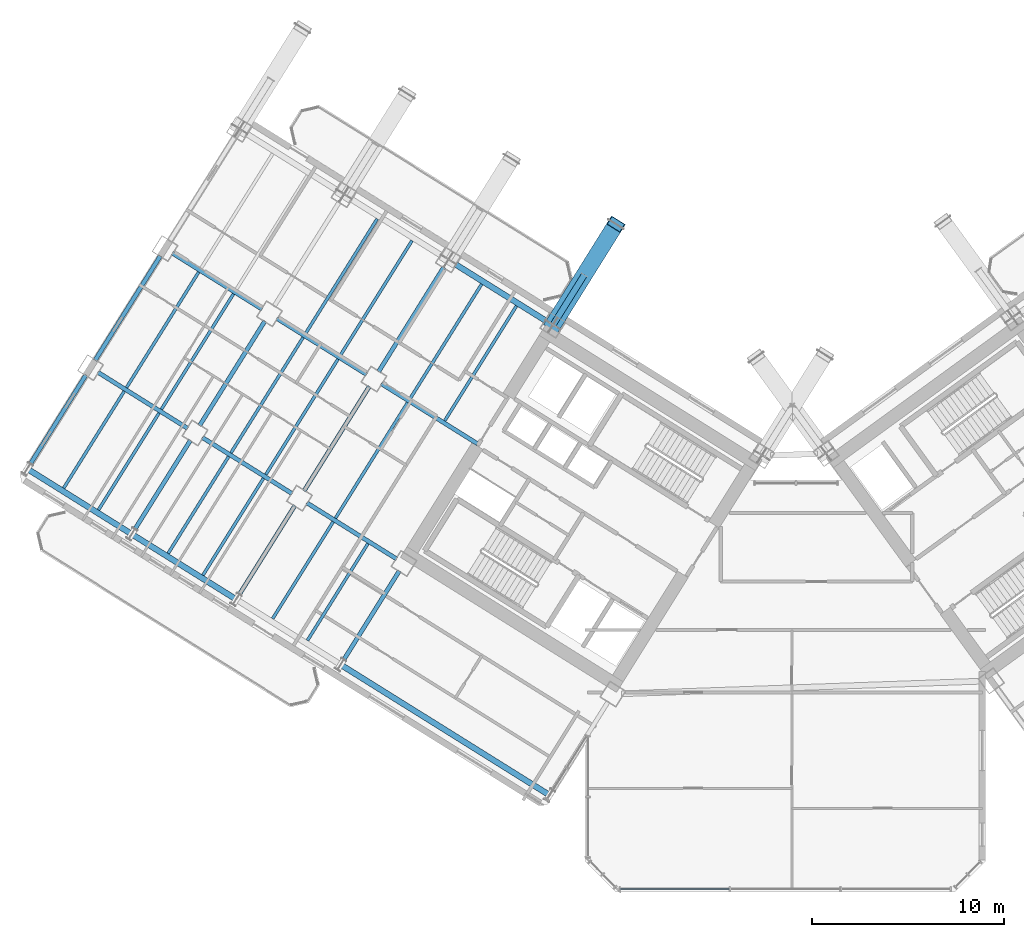
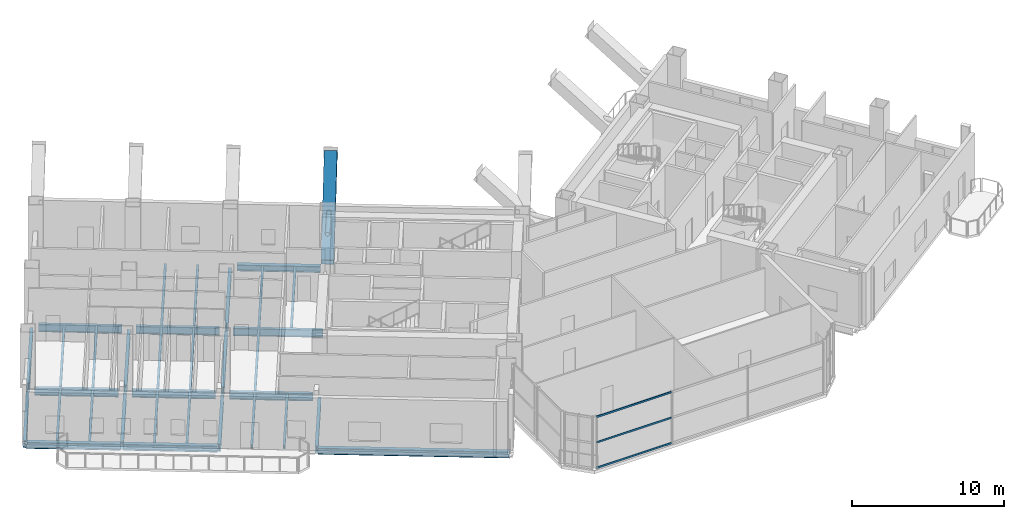
# One storey, part 6 of 30: 33 beams, 5 members, 1 element without a shape of its own.
"""IFC4 building model written with IfcOpenShell, lengths in metres."""

from ifc_helpers import new_model, si_unit, direction, frame, origin, origin_2d, place, context, subcontext, project, spatial, hollow_rectangle, hollow_circle, i_section, extrude, source, transform, mapped, material, material_profile, profile_set, type_object, element, aggregate, save


model = new_model("IFC4")

# Units and contexts
model_context = context("Model", 3, precision=1e-05, world=origin(), true_north=direction((0.0, 1.0)))
body_context = subcontext(model_context, "Body", "Model", "MODEL_VIEW")
ifc_project = project(units=[si_unit("LENGTHUNIT", "METRE"), si_unit("AREAUNIT", "SQUARE_METRE"), si_unit("VOLUMEUNIT", "CUBIC_METRE"), si_unit("PLANEANGLEUNIT", "RADIAN"), si_unit("MASSUNIT", "GRAM", prefix="KILO")], contexts=[model_context])

# Site, building, storey
site_placement = place(None, origin())
site = spatial("IfcSite", under=ifc_project, at=site_placement, CompositionType="ELEMENT")
building_placement = place(site_placement, origin())
building = spatial("IfcBuilding", under=site, at=building_placement, Name="Tlacorven Tower", CompositionType="ELEMENT")
storey_placement = place(building_placement, frame((0.0, 0.0, 67.199951171875)))
storey = spatial("IfcBuildingStorey", under=building, at=storey_placement, Name="L17", CompositionType="ELEMENT", Elevation=67.199951171875)

# Beams
ifc_material_1 = material(Name="Steel S355J2", Category="steel")
ifc_material_profile_1 = material_profile(ifc_material_1, i_section(OverallWidth=0.300048828125, OverallDepth=0.489990234375, WebThickness=0.011962890625, FlangeThickness=0.02294921875, at=origin_2d()), Name="HEA 500")
ifc_profile_set_1 = profile_set([ifc_material_profile_1], Name="Steel S355J2")
beam_type_1 = type_object("IfcBeamType", Name="BM-SPN-500", PredefinedType="SPANDREL", material=ifc_profile_set_1)
shared_shape_1 = source(origin(), body_context, "Body", "SweptSolid", [
    extrude(i_section(OverallWidth=0.300048828125, OverallDepth=0.489990234375, WebThickness=0.011962890625, FlangeThickness=0.02294921875, at=origin_2d()), origin(), (0.0, 0.0, 1.0), 5.5),
])
beam_1_placement = place(storey_placement, frame((29.54638671875, 31.48974609375, -0.494873046875), z_axis=(-0.848050668838, 0.52991514706, 0.0), x_axis=(-0.52991514706, -0.848050668838, 0.0)))
element("IfcBeam", 1, at=beam_1_placement, inside=storey, type_object=beam_type_1, Name="L17 beam BM-L17-WL1-3", PredefinedType="SPANDREL", context=body_context, shape_type="MappedRepresentation", body=[
    mapped(shared_shape_1, transform((0.0, 0.0, 0.0), scale=1.0)),
])
ifc_material_profile_2 = material_profile(ifc_material_1, i_section(OverallWidth=0.219970703125, OverallDepth=0.60009765625, WebThickness=0.011962890625, FlangeThickness=0.01904296875, at=origin_2d()), Name="IPE 600")
ifc_profile_set_2 = profile_set([ifc_material_profile_2], Name="Steel S355J2")
beam_type_2 = type_object("IfcBeamType", Name="BM-TWR-600", PredefinedType="BEAM", material=ifc_profile_set_2)
shared_shape_2 = source(origin(), body_context, "Body", "SweptSolid", [
    extrude(i_section(OverallWidth=0.219970703125, OverallDepth=0.60009765625, WebThickness=0.011962890625, FlangeThickness=0.01904296875, at=origin_2d()), origin(), (0.0, 0.0, 1.0), 5.909912109375),
])
beam_2_placement = place(storey_placement, frame((26.025634765625, 25.081787109375, -0.550048828125), z_axis=(-0.848047036595, 0.529920959883, 0.0), x_axis=(-0.529920959883, -0.848047036595, 0.0)))
element("IfcBeam", 2, at=beam_2_placement, inside=storey, type_object=beam_type_2, Name="L17 beam BM-L17-WL2-3", PredefinedType="BEAM", context=body_context, shape_type="MappedRepresentation", body=[
    mapped(shared_shape_2, transform((0.0, 0.0, 0.0), scale=1.0)),
])
shared_shape_3 = source(origin(), body_context, "Body", "SweptSolid", [
    extrude(i_section(OverallWidth=0.219970703125, OverallDepth=0.60009765625, WebThickness=0.011962890625, FlangeThickness=0.01904296875, at=origin_2d()), origin(), (0.0, 0.0, 1.0), 5.5),
])
for number, where, z_axis, x_axis, name in (
    (3, (20.25048828125, 28.690673828125, -0.550048828125), (-0.848050668838, 0.52991514706, 0.0), (-0.52991514706, -0.848050668838, 0.0), "L17 beam BM-L17-WL2-4"),
    (4, (14.822998046875, 32.08203125, -0.550048828125), (-0.848050668838, 0.52991514706, 0.0), (-0.52991514706, -0.848050668838, 0.0), "L17 beam BM-L17-WL2-5"),
    (5, (21.8095703125, 19.1083984375, -0.550048828125), (-0.848050668838, 0.52991514706, 0.0), (-0.52991514706, -0.848050668838, 0.0), "L17 beam BM-L17-WL3-3"),
    (6, (16.382080078125, 22.499755859375, -0.550048828125), (-0.848050668838, 0.52991514706, 0.0), (-0.52991514706, -0.848050668838, 0.0), "L17 beam BM-L17-WL3-4"),
    (7, (10.95458984375, 25.891357421875, -0.550048828125), (-0.848050668838, 0.52991514706, 0.0), (-0.52991514706, -0.848050668838, 0.0), "L17 beam BM-L17-WL3-5"),
):
    element("IfcBeam", number, at=place(storey_placement, frame(where, z_axis=z_axis, x_axis=x_axis)), inside=storey, type_object=beam_type_2, Name=name, PredefinedType="BEAM", context=body_context, shape_type="MappedRepresentation", body=[
        mapped(shared_shape_3, transform((0.0, 0.0, 0.0), scale=1.0)),
    ])
shared_shape_4 = source(origin(), body_context, "Body", "SweptSolid", [
    extrude(i_section(OverallWidth=0.300048828125, OverallDepth=0.489990234375, WebThickness=0.011962890625, FlangeThickness=0.02294921875, at=origin_2d()), origin(), (0.0, 0.0, 1.0), 12.599853515625),
])
beam_3_placement = place(storey_placement, frame((29.67578125, 6.882080078125, -0.494873046875), z_axis=(-0.848045108756, 0.529924045043, 0.0), x_axis=(-0.529924045043, -0.848045108756, 0.0)))
element("IfcBeam", 8, at=beam_3_placement, inside=storey, type_object=beam_type_1, Name="L17 beam BM-L17-WL4-1", PredefinedType="SPANDREL", context=body_context, shape_type="MappedRepresentation", body=[
    mapped(shared_shape_4, transform((0.0, 0.0, 0.0), scale=1.0)),
])
shared_shape_5 = source(origin(), body_context, "Body", "SweptSolid", [
    extrude(i_section(OverallWidth=0.300048828125, OverallDepth=0.489990234375, WebThickness=0.011962890625, FlangeThickness=0.02294921875, at=origin_2d()), origin(), (0.0, 0.0, 1.0), 6.199951171875),
])
for number, where, z_axis, x_axis, name in (
    (9, (13.393310546875, 17.056396484375, -0.494873046875), (-0.848033697614, 0.529942306022, 0.0), (-0.529942306022, -0.848033697614, 0.0), "L17 beam BM-L17-WL4-4"),
    (10, (7.9658203125, 20.447998046875, -0.494873046875), (-0.848051394107, 0.529913986372, 0.0), (-0.529913986372, -0.848051394107, 0.0), "L17 beam BM-L17-WL4-5"),
):
    element("IfcBeam", number, at=place(storey_placement, frame(where, z_axis=z_axis, x_axis=x_axis)), inside=storey, type_object=beam_type_1, Name=name, PredefinedType="SPANDREL", context=body_context, shape_type="MappedRepresentation", body=[
        mapped(shared_shape_5, transform((0.0, 0.0, 0.0), scale=1.0)),
    ])
shared_shape_6 = source(origin(), body_context, "Body", "SweptSolid", [
    extrude(i_section(OverallWidth=0.219970703125, OverallDepth=0.60009765625, WebThickness=0.011962890625, FlangeThickness=0.01904296875, at=origin_2d()), origin(), (0.0, 0.0, 1.0), 5.650146484375),
])
for number, where, z_axis, x_axis, name in (
    (11, (21.95263671875, 18.48828125, -0.550048828125), (-0.529929025184, -0.848041996759, 0.0), (0.848041996759, -0.529929025184, 0.0), "L17 beam BM-L17-WT3-2"),
    (12, (16.525146484375, 21.879638671875, -0.550048828125), (-0.529929025184, -0.848041996759, 0.0), (0.848041996759, -0.529929025184, 0.0), "L17 beam BM-L17-WT4-3"),
    (13, (11.09765625, 25.271240234375, -0.550048828125), (-0.529929025184, -0.848041996759, 0.0), (0.848041996759, -0.529929025184, 0.0), "L17 beam BM-L17-WT5-3"),
    (14, (5.670166015625, 28.66259765625, -0.550048828125), (-0.529929025184, -0.848041996759, 0.0), (0.848041996759, -0.529929025184, 0.0), "L17 beam BM-L17-WT6-3"),
):
    element("IfcBeam", number, at=place(storey_placement, frame(where, z_axis=z_axis, x_axis=x_axis)), inside=storey, type_object=beam_type_2, Name=name, PredefinedType="BEAM", context=body_context, shape_type="MappedRepresentation", body=[
        mapped(shared_shape_6, transform((0.0, 0.0, 0.0), scale=1.0)),
    ])
shared_shape_7 = source(origin(), body_context, "Body", "SweptSolid", [
    extrude(i_section(OverallWidth=0.219970703125, OverallDepth=0.60009765625, WebThickness=0.011962890625, FlangeThickness=0.01904296875, at=origin_2d()), origin(), (0.0, 0.0, 1.0), 6.39990234375),
])
for number, where, z_axis, x_axis, name in (
    (15, (24.261962890625, 34.26123046875, -0.550048828125), (-0.529906354247, -0.848056163074, 0.0), (0.848056163074, -0.529906354247, 0.0), "L17 beam BM-L17-WT4-1"),
    (16, (20.3935546875, 28.070556640625, -0.550048828125), (-0.529906354247, -0.848056163074, 0.0), (0.848056163074, -0.529906354247, 0.0), "L17 beam BM-L17-WT4-2"),
):
    element("IfcBeam", number, at=place(storey_placement, frame(where, z_axis=z_axis, x_axis=x_axis)), inside=storey, type_object=beam_type_2, Name=name, PredefinedType="BEAM", context=body_context, shape_type="MappedRepresentation", body=[
        mapped(shared_shape_7, transform((0.0, 0.0, 0.0), scale=1.0)),
    ])
shared_shape_8 = source(origin(), body_context, "Body", "SweptSolid", [
    extrude(i_section(OverallWidth=0.219970703125, OverallDepth=0.60009765625, WebThickness=0.011962890625, FlangeThickness=0.01904296875, at=origin_2d()), origin(), (0.0, 0.0, 1.0), 6.400146484375),
])
for number, where, z_axis, x_axis, name in (
    (17, (14.966064453125, 31.4619140625, -0.550048828125), (-0.529933789039, -0.848039019877, 0.0), (0.848039019877, -0.529933789039, 0.0), "L17 beam BM-L17-WT5-2"),
    (18, (9.53857421875, 34.853515625, -0.550048828125), (-0.529933789039, -0.848039019877, 0.0), (0.848039019877, -0.529933789039, 0.0), "L17 beam BM-L17-WT6-2"),
):
    element("IfcBeam", number, at=place(storey_placement, frame(where, z_axis=z_axis, x_axis=x_axis)), inside=storey, type_object=beam_type_2, Name=name, PredefinedType="BEAM", context=body_context, shape_type="MappedRepresentation", body=[
        mapped(shared_shape_8, transform((0.0, 0.0, 0.0), scale=1.0)),
    ])
ifc_material_profile_3 = material_profile(ifc_material_1, i_section(OverallWidth=0.159912109375, OverallDepth=0.330078125, WebThickness=0.007568359375, FlangeThickness=0.011474609375, at=origin_2d()), Name="IPE 330")
ifc_profile_set_3 = profile_set([ifc_material_profile_3], Name="Steel S355J2")
beam_type_3 = type_object("IfcBeamType", Name="BM-JST-330", PredefinedType="JOIST", material=ifc_profile_set_3)
shared_shape_9 = source(origin(), body_context, "Body", "SweptSolid", [
    extrude(i_section(OverallWidth=0.159912109375, OverallDepth=0.330078125, WebThickness=0.007568359375, FlangeThickness=0.011474609375, at=origin_2d()), origin(), (0.0, 0.0, 1.0), 7.030029296875),
])
for number, where, z_axis, x_axis, name in (
    (19, (28.03662109375, 32.25048828125, -0.4150390625), (-0.529911532383, -0.848052927504, 0.0), (0.848052927504, -0.529911532383, 0.0), "L17 beam BM-L17-WJ3-1-1"),
    (20, (26.2275390625, 33.380859375, -0.4150390625), (-0.529927139185, -0.84804317529, 0.0), (0.84804317529, -0.529927139185, 0.0), "L17 beam BM-L17-WJ3-1-2"),
    (21, (22.609130859375, 35.641845703125, -0.4150390625), (-0.529927139185, -0.84804317529, 0.0), (0.84804317529, -0.529927139185, 0.0), "L17 beam BM-L17-WJ4-1-1"),
    (22, (20.800048828125, 36.7724609375, -0.4150390625), (-0.529911532383, -0.848052927504, 0.0), (0.848052927504, -0.529911532383, 0.0), "L17 beam BM-L17-WJ4-1-2"),
):
    element("IfcBeam", number, at=place(storey_placement, frame(where, z_axis=z_axis, x_axis=x_axis)), inside=storey, type_object=beam_type_3, Name=name, PredefinedType="JOIST", context=body_context, shape_type="MappedRepresentation", body=[
        mapped(shared_shape_9, transform((0.0, 0.0, 0.0), scale=1.0)),
    ])
shared_shape_10 = source(origin(), body_context, "Body", "SweptSolid", [
    extrude(i_section(OverallWidth=0.159912109375, OverallDepth=0.330078125, WebThickness=0.007568359375, FlangeThickness=0.011474609375, at=origin_2d()), origin(), (0.0, 0.0, 1.0), 5.93017578125),
])
for number, where, z_axis, x_axis, name in (
    (23, (20.321044921875, 19.90283203125, -0.4150390625), (-0.529899018132, -0.848060746989, 0.0), (0.848060746989, -0.529899018132, 0.0), "L17 beam BM-L17-WJ3-3-1"),
    (24, (18.51171875, 21.033447265625, -0.4150390625), (-0.529899018132, -0.848060746989, 0.0), (0.848060746989, -0.529899018132, 0.0), "L17 beam BM-L17-WJ3-3-2"),
    (25, (9.466064453125, 26.685791015625, -0.4150390625), (-0.529928626913, -0.848042245633, 0.0), (0.848042245633, -0.529928626913, 0.0), "L17 beam BM-L17-WJ5-3-1"),
    (26, (7.65673828125, 27.81640625, -0.4150390625), (-0.529899018132, -0.848060746989, 0.0), (0.848060746989, -0.529899018132, 0.0), "L17 beam BM-L17-WJ5-3-2"),
):
    element("IfcBeam", number, at=place(storey_placement, frame(where, z_axis=z_axis, x_axis=x_axis)), inside=storey, type_object=beam_type_3, Name=name, PredefinedType="JOIST", context=body_context, shape_type="MappedRepresentation", body=[
        mapped(shared_shape_10, transform((0.0, 0.0, 0.0), scale=1.0)),
    ])
shared_shape_11 = source(origin(), body_context, "Body", "SweptSolid", [
    extrude(i_section(OverallWidth=0.159912109375, OverallDepth=0.330078125, WebThickness=0.007568359375, FlangeThickness=0.011474609375, at=origin_2d()), origin(), (0.0, 0.0, 1.0), 7.070068359375),
])
for number, where, z_axis, x_axis, name in (
    (27, (22.380126953125, 27.22412109375, -0.4150390625), (-0.529890296319, -0.84806619663, 0.0), (0.84806619663, -0.529890296319, 0.0), "L17 beam BM-L17-WJ3-2-2"),
    (28, (18.761962890625, 29.485107421875, -0.4150390625), (-0.529915131461, -0.848050678585, 0.0), (0.848050678585, -0.529915131461, 0.0), "L17 beam BM-L17-WJ4-2-1"),
    (29, (13.33447265625, 32.87646484375, -0.4150390625), (-0.529930649952, -0.848040981463, 0.0), (0.848040981463, -0.529930649952, 0.0), "L17 beam BM-L17-WJ5-2-1"),
    (30, (11.525146484375, 34.007080078125, -0.4150390625), (-0.529930649952, -0.848040981463, 0.0), (0.848040981463, -0.529930649952, 0.0), "L17 beam BM-L17-WJ5-2-2"),
):
    element("IfcBeam", number, at=place(storey_placement, frame(where, z_axis=z_axis, x_axis=x_axis)), inside=storey, type_object=beam_type_3, Name=name, PredefinedType="JOIST", context=body_context, shape_type="MappedRepresentation", body=[
        mapped(shared_shape_11, transform((0.0, 0.0, 0.0), scale=1.0)),
    ])
shared_shape_12 = source(origin(), body_context, "Body", "SweptSolid", [
    extrude(i_section(OverallWidth=0.159912109375, OverallDepth=0.330078125, WebThickness=0.007568359375, FlangeThickness=0.011474609375, at=origin_2d()), origin(), (0.0, 0.0, 1.0), 5.929931640625),
])
for number, where, z_axis, x_axis, name in (
    (31, (14.8935546875, 23.294189453125, -0.4150390625), (-0.529917519894, -0.848049186138, 0.0), (0.848049186138, -0.529917519894, 0.0), "L17 beam BM-L17-WJ4-3-1"),
    (32, (13.084228515625, 24.4248046875, -0.4150390625), (-0.529917519894, -0.848049186138, 0.0), (0.848049186138, -0.529917519894, 0.0), "L17 beam BM-L17-WJ4-3-2"),
):
    element("IfcBeam", number, at=place(storey_placement, frame(where, z_axis=z_axis, x_axis=x_axis)), inside=storey, type_object=beam_type_3, Name=name, PredefinedType="JOIST", context=body_context, shape_type="MappedRepresentation", body=[
        mapped(shared_shape_12, transform((0.0, 0.0, 0.0), scale=1.0)),
    ])
shared_shape_13 = source(origin(), body_context, "Body", "SweptSolid", [
    extrude(i_section(OverallWidth=0.159912109375, OverallDepth=0.330078125, WebThickness=0.007568359375, FlangeThickness=0.011474609375, at=origin_2d()), origin(), (0.0, 0.0, 1.0), 7.06982421875),
])
beam_4_placement = place(storey_placement, frame((16.95263671875, 30.615478515625, -0.4150390625), z_axis=(-0.52990581465, -0.84805650024, 0.0), x_axis=(0.84805650024, -0.52990581465, 0.0)))
element("IfcBeam", 33, at=beam_4_placement, inside=storey, type_object=beam_type_3, Name="L17 beam BM-L17-WJ4-2-2", PredefinedType="JOIST", context=body_context, shape_type="MappedRepresentation", body=[
    mapped(shared_shape_13, transform((0.0, 0.0, 0.0), scale=1.0)),
])

# Members
ifc_material_2 = material(Name="Steel S460M", Category="steel")
ifc_material_profile_4 = material_profile(ifc_material_2, hollow_rectangle(XDim=0.85009765625, YDim=0.85009765625, WallThickness=0.0400390625, at=origin_2d()), Name="BOX 850X850X40")
ifc_profile_set_4 = profile_set([ifc_material_profile_4], Name="Steel S460M")
member_type_1 = type_object("IfcMemberType", Name="MB-RAK-EXT", PredefinedType="STRUT", material=ifc_profile_set_4)
shared_shape_14 = source(origin(), body_context, "Body", "SweptSolid", [
    extrude(hollow_rectangle(XDim=0.85009765625, YDim=0.85009765625, WallThickness=0.0400390625, at=origin_2d()), origin(), (0.0, 0.0, 1.0), 7.62109375),
])
member_1_placement = place(storey_placement, frame((29.9365234375, 31.26513671875, 0.01171875), z_axis=(0.428857238409, 0.686325351137, 0.587400188501), x_axis=(-0.848051671646, 0.529913542211, 0.0)))
element("IfcMember", 34, at=member_1_placement, inside=storey, type_object=member_type_1, Name="L17 Block-Shift Raking Transfer Strut W3", PredefinedType="STRUT", context=body_context, shape_type="MappedRepresentation", body=[
    mapped(shared_shape_14, transform((0.0, 0.0, 0.0), scale=1.0)),
])
ifc_material_profile_5 = material_profile(ifc_material_2, hollow_circle(Radius=0.161865234375, WallThickness=0.01611328125, at=origin_2d()), Name="CHS 323.9X16")
ifc_profile_set_5 = profile_set([ifc_material_profile_5], Name="Steel S460M")
member_type_2 = type_object("IfcMemberType", Name="MB-SHF-BRC", PredefinedType="BRACE", material=ifc_profile_set_5)
shared_shape_15 = source(origin(), body_context, "Body", "SweptSolid", [
    extrude(hollow_circle(Radius=0.161865234375, WallThickness=0.01611328125, at=origin_2d()), origin(), (0.0, 0.0, 1.0), 3.06005859375),
])
member_2_placement = place(storey_placement, frame((29.9384765625, 31.268310546875, 2.25), z_axis=(0.529934393004, 0.848038642463, 0.0), x_axis=(-0.848038642463, 0.529934393004, 0.0)))
element("IfcMember", 35, at=member_2_placement, inside=storey, type_object=member_type_2, Name="L17 Raking Strut Stabilising Web Brace W3", PredefinedType="BRACE", context=body_context, shape_type="MappedRepresentation", body=[
    mapped(shared_shape_15, transform((0.0, 0.0, 0.0), scale=1.0)),
])

# Curtain wall, members
ifc_material_3 = material(Name="Dark solar low-E double glazing in aluminium frame", Category="aluminium")
curtain_wall_type = type_object("IfcCurtainWallType", Name="CW-TWR-LOW", PredefinedType="USERDEFINED", material=ifc_material_3)
curtain_wall_placement = place(storey_placement, origin())
curtain_wall = element("IfcCurtainWall", 36, at=curtain_wall_placement, inside=storey, type_object=curtain_wall_type, Name="L17 CW-TWR-LOW Curtain Wall 94", ObjectType="UNITISED CURTAIN WALL", PredefinedType="USERDEFINED")
ifc_material_4 = material(Name="Aluminium 6063-T6 anodised", Category="aluminium")
ifc_material_profile_6 = material_profile(ifc_material_4, hollow_rectangle(XDim=0.06005859375, YDim=0.139892578125, WallThickness=0.00390625, at=origin_2d()), Name="ALU TRANSOM 60X140")
ifc_profile_set_6 = profile_set([ifc_material_profile_6], Name="Aluminium 6063-T6 anodised")
member_type_3 = type_object("IfcMemberType", Name="CWT-02", PredefinedType="USERDEFINED", material=ifc_profile_set_6)
shared_shape_16 = source(origin(), body_context, "Body", "SweptSolid", [
    extrude(hollow_rectangle(XDim=0.06005859375, YDim=0.139892578125, WallThickness=0.00390625, at=origin_2d()), origin(), (0.0, 0.0, 1.0), 5.6748046875),
])
member_3_placement = place(storey_placement, frame((39.09912109375, 1.9599609375, 0.070068359375), z_axis=(-1.0, 0.0, 0.0), x_axis=(0.0, -1.0, 0.0)))
member_3 = element("IfcMember", 37, at=member_3_placement, type_object=member_type_3, Name="CW-L17-094 Transom 7", ObjectType="TRANSOM", PredefinedType="USERDEFINED", context=body_context, shape_type="MappedRepresentation", body=[
    mapped(shared_shape_16, transform((0.0, 0.0, 0.0), scale=1.0)),
])
member_4_placement = place(storey_placement, frame((39.09912109375, 1.9599609375, 2.110107421875), z_axis=(-1.0, 0.0, 0.0), x_axis=(0.0, -1.0, 0.0)))
member_4 = element("IfcMember", 38, at=member_4_placement, type_object=member_type_3, Name="CW-L17-094 Transom 8", ObjectType="TRANSOM", PredefinedType="USERDEFINED", context=body_context, shape_type="MappedRepresentation", body=[
    mapped(shared_shape_16, transform((0.0, 0.0, 0.0), scale=1.0)),
])
member_5_placement = place(storey_placement, frame((39.09912109375, 1.9599609375, 4.150146484375), z_axis=(-1.0, 0.0, 0.0), x_axis=(0.0, -1.0, 0.0)))
member_5 = element("IfcMember", 39, at=member_5_placement, type_object=member_type_3, Name="CW-L17-094 Transom 9", ObjectType="TRANSOM", PredefinedType="USERDEFINED", context=body_context, shape_type="MappedRepresentation", body=[
    mapped(shared_shape_16, transform((0.0, 0.0, 0.0), scale=1.0)),
])
aggregate(curtain_wall, [member_3, member_4, member_5])

save(model, "model.ifc")
